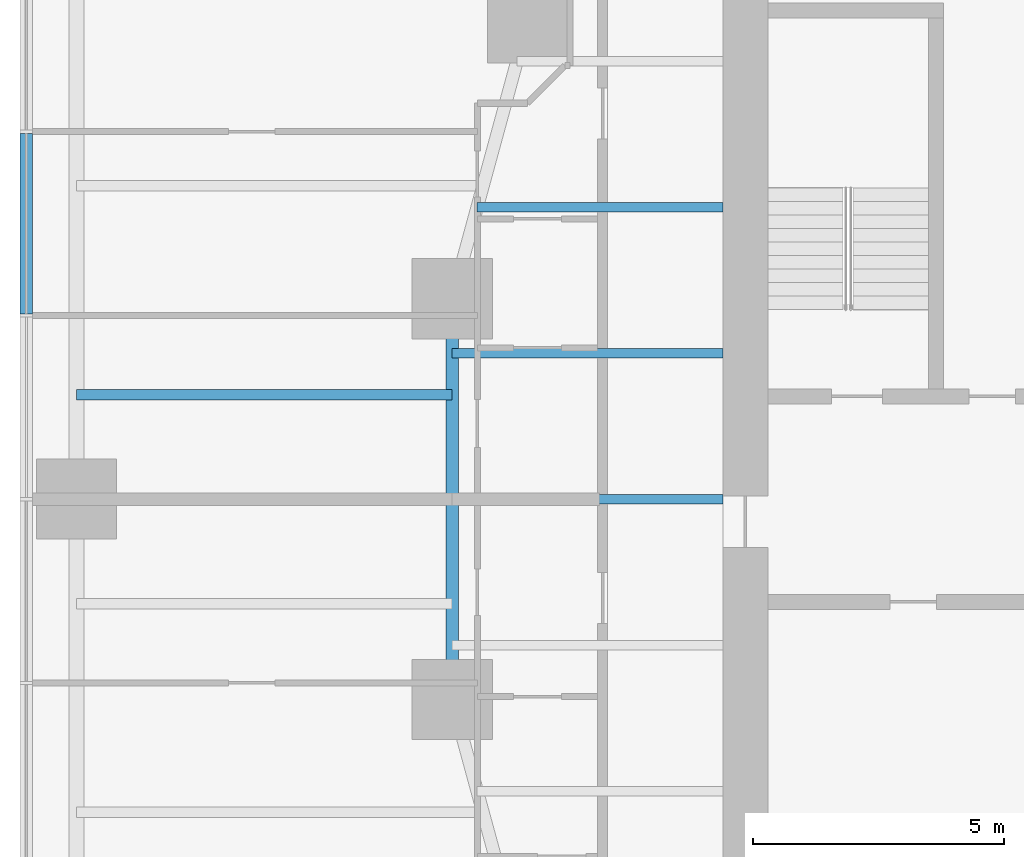
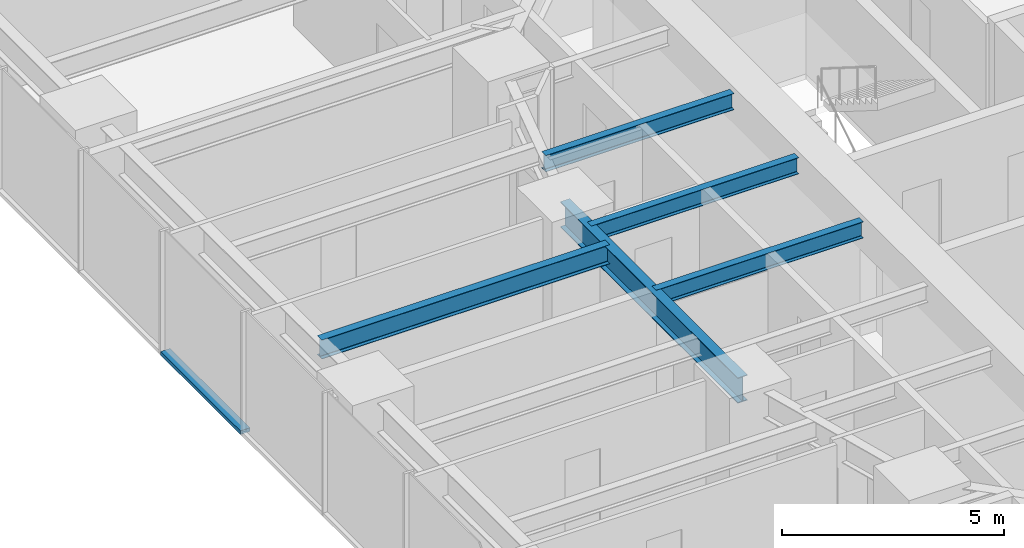
# One storey, part 3 of 17: 5 beams, 1 member, 1 element without a shape of its own.
"""IFC4 building model written with IfcOpenShell, lengths in metres."""

import ifcopenshell
import ifcopenshell.guid

model = None  # the IFC model being written
_history = None  # IfcOwnerHistory: only IFC2X3 demands one
_inside = {}  # id of a spatial element -> (the spatial element, [elements in it])
_under = {}  # id of a project, library or spatial element -> (it, [spatial elements below it])
_declared = {}  # id of a project -> (the project, [libraries it declares])
_typed = {}  # id of a type object -> (the type object, [elements of that type])
_made_of = {}  # id of a material, layer set ... -> (it, [elements and type objects made of it])


def new_model(schema):
    """Start an empty IFC model of exactly this schema.

    Asked for "IFC4X3", IfcOpenShell would pick the latest addendum, in which some entities
    have other attributes; the version numbers below select the first issue.
    IFC2X3 requires an IfcOwnerHistory on every rooted entity: one is made here for all.
    """
    global model, _history
    if schema == "IFC4X3":
        model = ifcopenshell.file(schema_version=(4, 3, 0, 0))
    else:
        model = ifcopenshell.file(schema=schema)
    _inside.clear()
    _under.clear()
    _declared.clear()
    _typed.clear()
    _made_of.clear()
    _history = None
    if model.schema == "IFC2X3":
        org = make("IfcOrganization", Name="unknown")
        user = make(
            "IfcPersonAndOrganization",
            ThePerson=make("IfcPerson", FamilyName="unknown"),
            TheOrganization=org,
        )
        app = make(
            "IfcApplication",
            ApplicationDeveloper=org,
            Version="unknown",
            ApplicationFullName="unknown",
            ApplicationIdentifier="unknown",
        )
        _history = make(
            "IfcOwnerHistory",
            OwningUser=user,
            OwningApplication=app,
            ChangeAction="ADDED",
            CreationDate=0,
        )
    return model


def make(cls, **values):
    """One entity of the class cls with the attributes given. An attribute that is None is left unset."""
    return model.create_entity(
        cls, **{name: value for name, value in values.items() if value is not None}
    )


def rooted(cls, **values):
    """An entity with a GlobalId (a new one), such as an element, a storey or a relation."""
    return make(cls, GlobalId=ifcopenshell.guid.new(), OwnerHistory=_history, **values)


def si_unit(unit_type, name, prefix=None):
    """IfcSIUnit, for example si_unit("LENGTHUNIT", "METRE", prefix="MILLI")."""
    return make("IfcSIUnit", UnitType=unit_type, Prefix=prefix, Name=name)


def assignment(units):
    """IfcUnitAssignment: the units of a project."""
    return None if units is None else make("IfcUnitAssignment", Units=units)


def point(xyz):
    """IfcCartesianPoint."""
    return None if xyz is None else make("IfcCartesianPoint", Coordinates=xyz)


def direction(xyz):
    """IfcDirection."""
    return None if xyz is None else make("IfcDirection", DirectionRatios=xyz)


def frame(location, z_axis=None, x_axis=None):
    """IfcAxis2Placement3D, a coordinate frame: its origin and axes. An axis left out is left unset."""
    return make(
        "IfcAxis2Placement3D",
        Location=point(location),
        Axis=direction(z_axis),
        RefDirection=direction(x_axis),
    )


def frame_2d(location, x_axis=None):
    """IfcAxis2Placement2D, a coordinate frame in the plane: its origin and x axis."""
    return make(
        "IfcAxis2Placement2D", Location=point(location), RefDirection=direction(x_axis)
    )


def origin():
    """The frame at (0, 0, 0) with its axes left unset."""
    return frame((0.0, 0.0, 0.0))


def origin_2d():
    """The frame at (0, 0) in the plane with its x axis left unset."""
    return frame_2d((0.0, 0.0))


def place(relative_to, where):
    """IfcLocalPlacement: puts the frame where relative to a parent placement (None: the world)."""
    return make(
        "IfcLocalPlacement", PlacementRelTo=relative_to, RelativePlacement=where
    )


def context(
    kind, dimensions, precision=None, world=None, true_north=None, identifier=None
):
    """IfcGeometricRepresentationContext, for example the 3D "Model" context."""
    return make(
        "IfcGeometricRepresentationContext",
        ContextIdentifier=identifier,
        ContextType=kind,
        CoordinateSpaceDimension=dimensions,
        Precision=precision,
        WorldCoordinateSystem=world,
        TrueNorth=true_north,
    )


def subcontext(parent, identifier, kind, view, scale=None):
    """IfcGeometricRepresentationSubContext, for example "Body" below "Model"."""
    return make(
        "IfcGeometricRepresentationSubContext",
        ContextIdentifier=identifier,
        ContextType=kind,
        ParentContext=parent,
        TargetScale=scale,
        TargetView=view,
    )


def project(units=None, contexts=None):
    """IfcProject with its units and contexts."""
    return rooted(
        "IfcProject",
        Name="project",
        RepresentationContexts=contexts,
        UnitsInContext=assignment(units),
    )


def spatial(cls, under=None, at=None, **own):
    """A site, building, storey or space (cls), placed at a placement, below another one or the project."""
    s = rooted(cls, ObjectPlacement=at, **own)
    if under is not None:
        _under.setdefault(under.id(), (under, []))[1].append(s)
    return s


def profile(cls, at=None, kind="AREA", **sizes):
    """A parametric profile (cls). Its sizes go by their IFC names, for example OverallWidth=200.0."""
    return make(cls, ProfileType=kind, Position=at, **sizes)


def rectangle(**sizes):
    """IfcRectangleProfileDef."""
    return profile("IfcRectangleProfileDef", **sizes)


def i_section(**sizes):
    """IfcIShapeProfileDef."""
    return profile("IfcIShapeProfileDef", **sizes)


def extrude(swept, where, along, depth):
    """IfcExtrudedAreaSolid: the profile swept, set in the frame where, extruded along a direction by depth."""
    return make(
        "IfcExtrudedAreaSolid",
        SweptArea=swept,
        Position=where,
        ExtrudedDirection=direction(along),
        Depth=depth,
    )


def shape(context_of_items, identifier, shape_type, items):
    """IfcShapeRepresentation: the items that make up one representation, for example the "Body"."""
    return make(
        "IfcShapeRepresentation",
        ContextOfItems=context_of_items,
        RepresentationIdentifier=identifier,
        RepresentationType=shape_type,
        Items=items,
    )


def material(Name=None, Category=None):
    """IfcMaterial."""
    return make("IfcMaterial", Name=Name, Category=Category)


def material_profile(
    of_material, cross_section, Name=None, Category=None, Priority=None
):
    """IfcMaterialProfile: a cross section and its material."""
    return make(
        "IfcMaterialProfile",
        Name=Name,
        Material=of_material,
        Profile=cross_section,
        Priority=Priority,
        Category=Category,
    )


def profile_set(profiles, Name=None, composite=None):
    """IfcMaterialProfileSet."""
    return make(
        "IfcMaterialProfileSet",
        Name=Name,
        MaterialProfiles=profiles,
        CompositeProfile=composite,
    )


def made_of(thing, what):
    """Note that an element or type object is made of a material, layer set ...; save() writes the relation."""
    if what is not None:
        _made_of.setdefault(what.id(), (what, []))[1].append(thing)
    return thing


def type_object(cls, material=None, **own):
    """A type object (cls), such as IfcWallType, which elements share."""
    return made_of(rooted(cls, **own), material)


def element(
    cls,
    number,
    at=None,
    inside=None,
    cuts=None,
    type_object=None,
    material=None,
    context=None,
    identifier="Body",
    shape_type=None,
    held_by="IfcProductDefinitionShape",
    body=None,
    shapes=None,
    **own,
):
    """One element of the class cls, such as IfcWall. Its Tag is "e" and its number.

    at: its placement. inside: the storey or other place that contains it. cuts: it is an
    opening in that element (IfcRelVoidsElement). A single representation is given by context,
    identifier, shape_type and body (its items); several are given by shapes. held_by: the class
    of the entity that holds the representations. save() writes the other relations.
    """
    e = rooted(cls, Tag="e%d" % number, ObjectPlacement=at, **own)
    if body is not None:
        shapes = [shape(context, identifier, shape_type, body)]
    if shapes is not None:
        e.Representation = make(held_by, Representations=shapes)
    if inside is not None:
        _inside.setdefault(inside.id(), (inside, []))[1].append(e)
    if cuts is not None:
        rooted(
            "IfcRelVoidsElement", RelatingBuildingElement=cuts, RelatedOpeningElement=e
        )
    if type_object is not None:
        _typed.setdefault(type_object.id(), (type_object, []))[1].append(e)
    return made_of(e, material)


def aggregate(whole, parts):
    """IfcRelAggregates: a whole, such as a stair, and the parts it consists of."""
    return rooted("IfcRelAggregates", RelatingObject=whole, RelatedObjects=parts)


def save(model, path):
    """Write the relations noted so far, then the file.

    IfcRelAggregates (storeys below a building ...), IfcRelContainedInSpatialStructure (elements
    in a storey), IfcRelDefinesByType, IfcRelAssociatesMaterial and IfcRelDeclares: one each for
    every whole, place, type object, material and project.
    """
    for whole, parts in _under.values():
        aggregate(whole, parts)
    for where, things in _inside.values():
        rooted(
            "IfcRelContainedInSpatialStructure",
            RelatedElements=things,
            RelatingStructure=where,
        )
    for kind, things in _typed.values():
        rooted("IfcRelDefinesByType", RelatedObjects=things, RelatingType=kind)
    for what, things in _made_of.values():
        rooted("IfcRelAssociatesMaterial", RelatedObjects=things, RelatingMaterial=what)
    for by, libraries in _declared.values():
        rooted("IfcRelDeclares", RelatingContext=by, RelatedDefinitions=libraries)
    model.write(path)


model = new_model("IFC4")

# Units and contexts
model_context = context("Model", 3, precision=1e-05, world=origin(), true_north=direction((0.0, 1.0)))
body_context = subcontext(model_context, "Body", "Model", "MODEL_VIEW")
ifc_project = project(units=[si_unit("LENGTHUNIT", "METRE"), si_unit("AREAUNIT", "SQUARE_METRE"), si_unit("VOLUMEUNIT", "CUBIC_METRE"), si_unit("PLANEANGLEUNIT", "RADIAN"), si_unit("MASSUNIT", "GRAM", prefix="KILO")], contexts=[model_context])

# Site, building, storey
site_placement = place(None, origin())
site = spatial("IfcSite", under=ifc_project, at=site_placement, CompositionType="ELEMENT")
building_placement = place(site_placement, origin())
building = spatial("IfcBuilding", under=site, at=building_placement, Name="Torsade Residences", CompositionType="ELEMENT")
storey_placement = place(building_placement, frame((0.0, 0.0, 21.800048828125)))
storey = spatial("IfcBuildingStorey", under=building, at=storey_placement, Name="L05", CompositionType="ELEMENT", Elevation=21.800048828125)

# Curtain wall, member
ifc_material_1 = material(Name="Aluminium and glass", Category="aluminium")
curtain_wall_type = type_object("IfcCurtainWallType", Name="FRITTED GLASS CURTAIN WALL LOW ZONE", PredefinedType="NOTDEFINED", material=ifc_material_1)
curtain_wall_placement = place(storey_placement, origin())
curtain_wall = element("IfcCurtainWall", 1, at=curtain_wall_placement, inside=storey, type_object=curtain_wall_type, Name="Curtain wall L05 face 10", PredefinedType="NOTDEFINED")
ifc_material_2 = material(Name="Aluminium transom", Category="aluminium")
ifc_material_profile_1 = material_profile(ifc_material_2, rectangle(XDim=0.25, YDim=0.10009765625, at=origin_2d()), Name="CURTAIN WALL TRANSOM 250x100")
ifc_profile_set_1 = profile_set([ifc_material_profile_1], Name="Aluminium transom")
member_type = type_object("IfcMemberType", Name="CURTAIN WALL TRANSOM 250x100", PredefinedType="USERDEFINED", material=ifc_profile_set_1)
member_placement = place(storey_placement, frame((14.0, 37.30078125, 0.050048828125), z_axis=(0.0, -1.0, 0.0), x_axis=(1.0, 0.0, 0.0)))
member = element("IfcMember", 2, at=member_placement, type_object=member_type, Name="Transom 5.1", ObjectType="TRANSOM", PredefinedType="USERDEFINED", context=body_context, shape_type="SweptSolid", body=[
    extrude(rectangle(XDim=0.25, YDim=0.10009765625, at=origin_2d()), origin(), (0.0, 0.0, 1.0), 3.6015625),
])
aggregate(curtain_wall, [member])

# Beams
ifc_material_3 = material(Name="Steel grade 300", Category="steel")
ifc_material_profile_2 = material_profile(ifc_material_3, i_section(OverallWidth=0.18994140625, OverallDepth=0.4541015625, WebThickness=0.008544921875, FlangeThickness=0.0126953125, FilletRadius=0.011474609375, at=origin_2d()), Name="460UB67.1")
ifc_profile_set_2 = profile_set([ifc_material_profile_2], Name="Steel grade 300")
beam_type_1 = type_object("IfcBeamType", Name="INNER FLOOR BEAM 460UB67.1", PredefinedType="JOIST", material=ifc_profile_set_2)
beam_1_placement = place(storey_placement, frame((27.89990234375, 35.824951171875, 3.02294921875), z_axis=(-1.0, 0.0, 0.0), x_axis=(0.0, -1.0, 0.0)))
element("IfcBeam", 3, at=beam_1_placement, inside=storey, type_object=beam_type_1, Name="Inner floor beam IW02 L06", PredefinedType="JOIST", context=body_context, shape_type="SweptSolid", body=[
    extrude(i_section(OverallWidth=0.18994140625, OverallDepth=0.4541015625, WebThickness=0.008544921875, FlangeThickness=0.0126953125, FilletRadius=0.011474609375, at=origin_2d()), origin(), (0.0, 0.0, 1.0), 4.902099609375),
])
for number, where, z_axis, x_axis, name in (
    (4, (27.89990234375, 32.91259765625, 3.02294921875), (-1.0, 0.0, 0.0), (0.0, -1.0, 0.0), "Inner floor beam IW03 L06"),
    (5, (27.89990234375, 30.0, 3.02294921875), (-1.0, 0.0, 0.0), (0.0, -1.0, 0.0), "Inner floor beam IW04 L06"),
):
    element("IfcBeam", number, at=place(storey_placement, frame(where, z_axis=z_axis, x_axis=x_axis)), inside=storey, type_object=beam_type_1, Name=name, PredefinedType="JOIST", context=body_context, shape_type="SweptSolid", body=[
        extrude(i_section(OverallWidth=0.18994140625, OverallDepth=0.4541015625, WebThickness=0.008544921875, FlangeThickness=0.0126953125, FilletRadius=0.011474609375, at=origin_2d()), origin(), (0.0, 0.0, 1.0), 5.39990234375),
    ])
ifc_material_4 = material(Name="Steel grade 300", Category="steel")
ifc_material_profile_3 = material_profile(ifc_material_4, i_section(OverallWidth=0.25, OverallDepth=0.699951171875, WebThickness=0.010009765625, FlangeThickness=0.02001953125, at=origin_2d()), Name="700WB130")
ifc_profile_set_3 = profile_set([ifc_material_profile_3], Name="Steel grade 300")
beam_type_2 = type_object("IfcBeamType", Name="RING GIRDER 700WB130", PredefinedType="BEAM", material=ifc_profile_set_3)
beam_2_placement = place(storey_placement, frame((22.5, 34.0, 2.89990234375), z_axis=(0.0, -1.0, 0.0), x_axis=(1.0, 0.0, 0.0)))
element("IfcBeam", 6, at=beam_2_placement, inside=storey, type_object=beam_type_2, Name="Ring girder IR09 L06", PredefinedType="BEAM", context=body_context, shape_type="SweptSolid", body=[
    extrude(i_section(OverallWidth=0.25, OverallDepth=0.699951171875, WebThickness=0.010009765625, FlangeThickness=0.02001953125, at=origin_2d()), origin(), (0.0, 0.0, 1.0), 8.0),
])
ifc_material_5 = material(Name="Steel grade 300", Category="steel")
ifc_material_profile_4 = material_profile(ifc_material_5, i_section(OverallWidth=0.208984375, OverallDepth=0.528076171875, WebThickness=0.009521484375, FlangeThickness=0.01318359375, FilletRadius=0.013916015625, at=origin_2d()), Name="530UB82.0")
ifc_profile_set_4 = profile_set([ifc_material_profile_4], Name="Steel grade 300")
beam_type_3 = type_object("IfcBeamType", Name="SECONDARY BEAM 530UB82.0", PredefinedType="JOIST", material=ifc_profile_set_4)
beam_3_placement = place(storey_placement, frame((15.0, 32.083251953125, 2.98583984375), z_axis=(1.0, 0.0, 0.0), x_axis=(0.0, 1.0, 0.0)))
element("IfcBeam", 7, at=beam_3_placement, inside=storey, type_object=beam_type_3, Name="Floor beam FW06 L06", PredefinedType="JOIST", context=body_context, shape_type="SweptSolid", body=[
    extrude(i_section(OverallWidth=0.208984375, OverallDepth=0.528076171875, WebThickness=0.009521484375, FlangeThickness=0.01318359375, FilletRadius=0.013916015625, at=origin_2d()), origin(), (0.0, 0.0, 1.0), 7.5),
])

save(model, "model.ifc")
